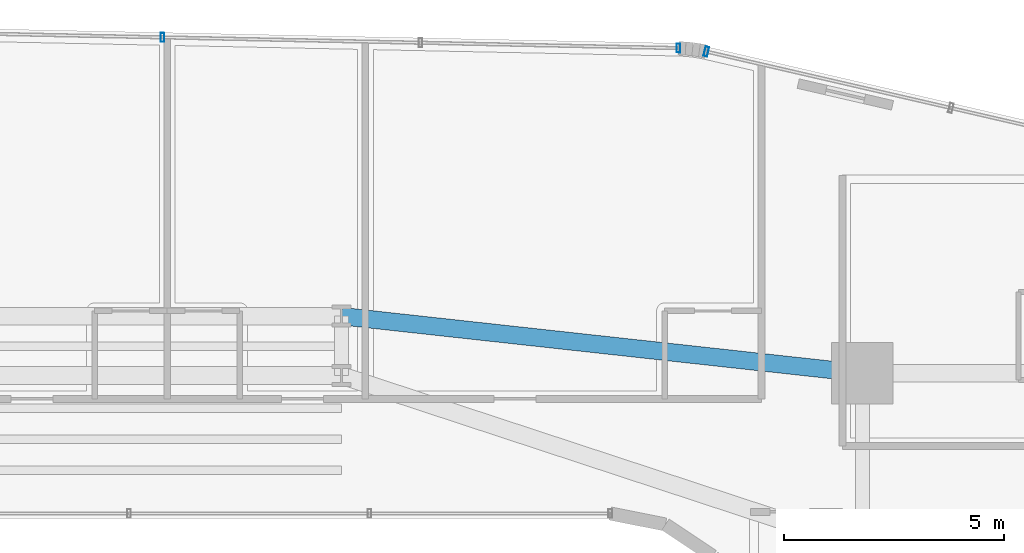
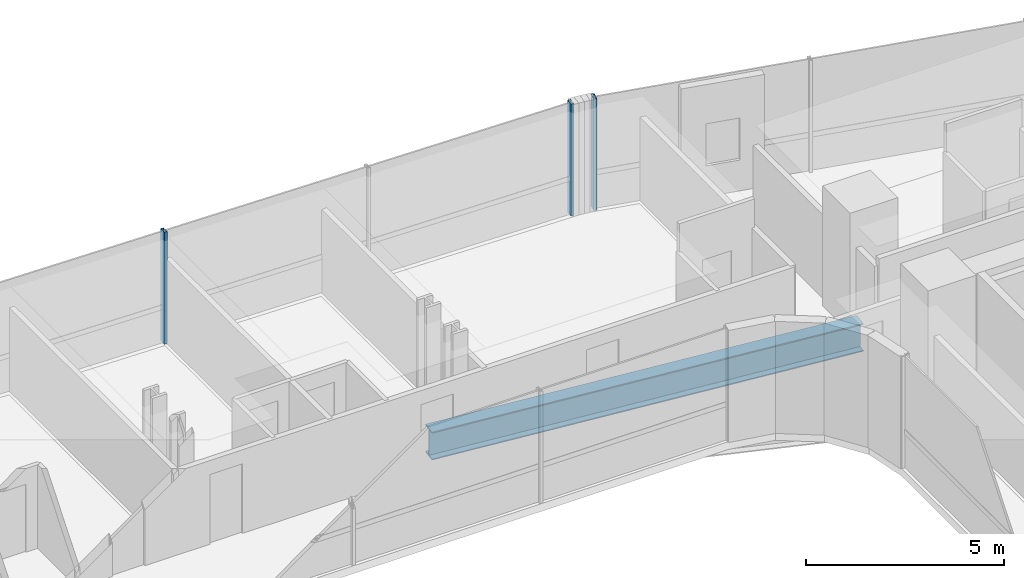
# One storey, part 22 of 42: 3 members, 1 beam, 2 elements without a shape of their own.
"""IFC4 building model written with IfcOpenShell, lengths in metres."""

from ifc_helpers import new_model, si_unit, direction, frame, origin, origin_2d, place, context, subcontext, project, spatial, hollow_rectangle, i_section, extrude, source, transform, mapped, material, material_profile, profile_set, type_object, element, aggregate, save


model = new_model("IFC4")

# Units and contexts
model_context = context("Model", 3, precision=1e-05, world=origin(), true_north=direction((0.0, 1.0)))
body_context = subcontext(model_context, "Body", "Model", "MODEL_VIEW")
ifc_project = project(units=[si_unit("LENGTHUNIT", "METRE"), si_unit("AREAUNIT", "SQUARE_METRE"), si_unit("VOLUMEUNIT", "CUBIC_METRE"), si_unit("PLANEANGLEUNIT", "RADIAN"), si_unit("MASSUNIT", "GRAM", prefix="KILO")], contexts=[model_context])

# Site, building, storey
site_placement = place(None, origin())
site = spatial("IfcSite", under=ifc_project, at=site_placement, CompositionType="ELEMENT")
building_placement = place(site_placement, origin())
building = spatial("IfcBuilding", under=site, at=building_placement, Name="Valdorenza Pilgrim Sanctuary Tower", CompositionType="ELEMENT")
storey_placement = place(building_placement, frame((0.0, 0.0, 29.699951171875)))
storey = spatial("IfcBuildingStorey", under=building, at=storey_placement, Name="L06", CompositionType="ELEMENT", Elevation=29.699951171875)

# Beam
ifc_material_1 = material(Name="Steel ASTM A992 Grade 50", Category="steel")
ifc_material_profile_1 = material_profile(ifc_material_1, i_section(OverallWidth=0.39990234375, OverallDepth=0.862060546875, WebThickness=0.019775390625, FlangeThickness=0.032470703125, at=origin_2d()), Name="W33X221")
ifc_profile_set_1 = profile_set([ifc_material_profile_1], Name="Steel ASTM A992 Grade 50")
beam_type = type_object("IfcBeamType", Name="STR-BM-GRD-W33", PredefinedType="BEAM", material=ifc_profile_set_1)
shared_shape_1 = source(origin(), body_context, "Body", "SweptSolid", [
    extrude(i_section(OverallWidth=0.39990234375, OverallDepth=0.862060546875, WebThickness=0.019775390625, FlangeThickness=0.032470703125, at=origin_2d()), origin(), (0.0, 0.0, 1.0), 11.921142578125),
])
beam_placement = place(storey_placement, frame((4.0, 14.800048828125, -0.6708984375), z_axis=(0.994035876607, -0.10905354656, 0.0), x_axis=(0.10905354656, 0.994035876607, 0.0)))
element("IfcBeam", 1, at=beam_placement, inside=storey, type_object=beam_type, Name="L06 Floor Girder KNK-G6", PredefinedType="BEAM", context=body_context, shape_type="MappedRepresentation", body=[
    mapped(shared_shape_1, transform((0.0, 0.0, 0.0), x_axis=(1.0, 0.0, 0.0), y_axis=(0.0, 1.0, 0.0), z_axis=(0.0, 0.0, 1.0), scale=1.0)),
])

# Curtain wall, members
ifc_material_2 = material(Name="Curtain-wall IGU glazing", Category="glass")
curtain_wall_type_1 = type_object("IfcCurtainWallType", Name="CW-SYS-02", PredefinedType="NOTDEFINED", material=ifc_material_2)
curtain_wall_1_placement = place(storey_placement, origin())
curtain_wall_1 = element("IfcCurtainWall", 2, at=curtain_wall_1_placement, inside=storey, type_object=curtain_wall_type_1, Name="L06 Curtain Wall CW-L06-1-11", PredefinedType="NOTDEFINED")
ifc_material_3 = material(Name="Anodised aluminium AW-6060", Category="aluminium")
ifc_material_profile_2 = material_profile(ifc_material_3, hollow_rectangle(XDim=0.0849609375, YDim=0.199951171875, WallThickness=0.0048828125, at=origin_2d()), Name="ALU-M 200x85x5")
ifc_profile_set_2 = profile_set([ifc_material_profile_2], Name="Anodised aluminium AW-6060")
member_type_1 = type_object("IfcMemberType", Name="CW-MUL-02", PredefinedType="MULLION", material=ifc_profile_set_2)
shared_shape_2 = source(origin(), body_context, "Body", "SweptSolid", [
    extrude(hollow_rectangle(XDim=0.0849609375, YDim=0.199951171875, WallThickness=0.0048828125, at=origin_2d()), origin(), (0.0, 0.0, 1.0), 3.4599609375),
])
member_1_placement = place(storey_placement, frame((-0.0712890625, 21.1416015625, 0.0), z_axis=(0.0, 0.0, 1.0), x_axis=(0.999783234613, -0.020820273474, 0.0)))
member_1 = element("IfcMember", 3, at=member_1_placement, type_object=member_type_1, Name="CW-L06-1-11 Mullion 3", PredefinedType="MULLION", context=body_context, shape_type="MappedRepresentation", body=[
    mapped(shared_shape_2, transform((0.0, 0.0, 0.0), x_axis=(1.0, 0.0, 0.0), y_axis=(0.0, 1.0, 0.0), z_axis=(0.0, 0.0, 1.0), scale=1.0)),
])
member_2_placement = place(storey_placement, frame((11.665771484375, 20.89697265625, 0.0), z_axis=(0.0, 0.0, 1.0), x_axis=(0.999783234613, -0.020820273474, 0.0)))
member_2 = element("IfcMember", 4, at=member_2_placement, type_object=member_type_1, Name="CW-L06-1-11 Mullion 5", PredefinedType="MULLION", context=body_context, shape_type="MappedRepresentation", body=[
    mapped(shared_shape_2, transform((0.0, 0.0, 0.0), x_axis=(1.0, 0.0, 0.0), y_axis=(0.0, 1.0, 0.0), z_axis=(0.0, 0.0, 1.0), scale=1.0)),
])
aggregate(curtain_wall_1, [member_1, member_2])

# Curtain wall, member
curtain_wall_type_2 = type_object("IfcCurtainWallType", Name="CW-SYS-03", PredefinedType="NOTDEFINED", material=ifc_material_2)
curtain_wall_2_placement = place(storey_placement, origin())
curtain_wall_2 = element("IfcCurtainWall", 5, at=curtain_wall_2_placement, inside=storey, type_object=curtain_wall_type_2, Name="L06 Curtain Wall CW-L06-1-16", PredefinedType="NOTDEFINED")
ifc_material_profile_3 = material_profile(ifc_material_3, hollow_rectangle(XDim=0.0849609375, YDim=0.219970703125, WallThickness=0.0048828125, at=origin_2d()), Name="ALU-M 220x85x5")
ifc_profile_set_3 = profile_set([ifc_material_profile_3], Name="Anodised aluminium AW-6060")
member_type_2 = type_object("IfcMemberType", Name="CW-MUL-03", PredefinedType="MULLION", material=ifc_profile_set_3)
shared_shape_3 = source(origin(), body_context, "Body", "SweptSolid", [
    extrude(hollow_rectangle(XDim=0.0849609375, YDim=0.219970703125, WallThickness=0.0048828125, at=origin_2d()), origin(), (0.0, 0.0, 1.0), 3.4599609375),
])
member_3_placement = place(storey_placement, frame((12.299072265625, 20.818115234375, 0.0), z_axis=(0.0, 0.0, 1.0), x_axis=(0.974389691758, -0.224866023659, 0.0)))
member_3 = element("IfcMember", 6, at=member_3_placement, type_object=member_type_2, Name="CW-L06-1-16 Mullion 1", PredefinedType="MULLION", context=body_context, shape_type="MappedRepresentation", body=[
    mapped(shared_shape_3, transform((0.0, 0.0, 0.0), x_axis=(1.0, 0.0, 0.0), y_axis=(0.0, 1.0, 0.0), z_axis=(0.0, 0.0, 1.0), scale=1.0)),
])
aggregate(curtain_wall_2, [member_3])

save(model, "model.ifc")
